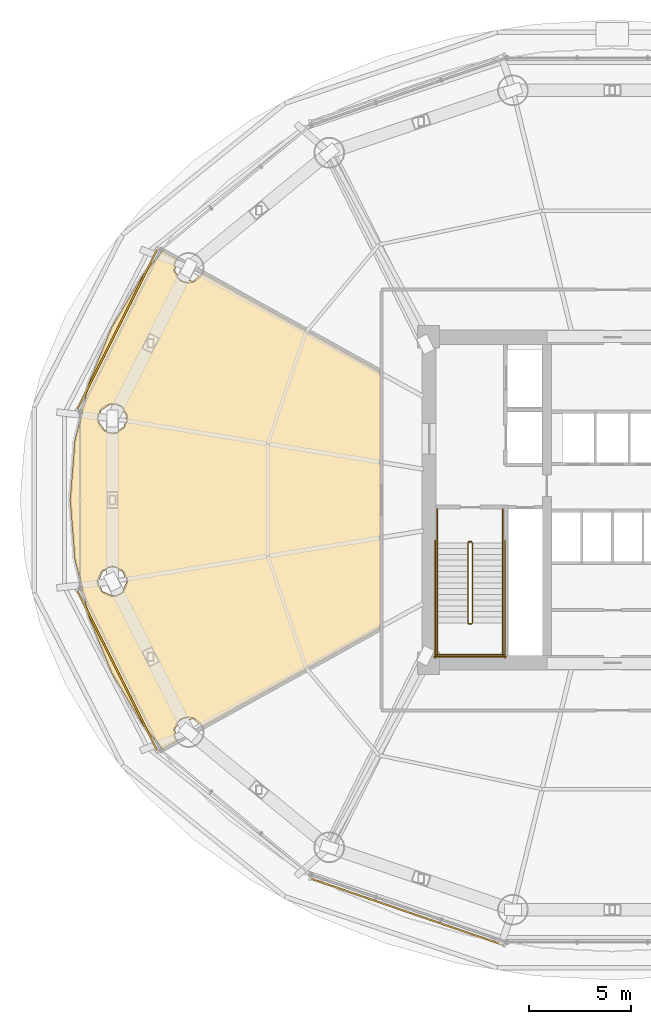
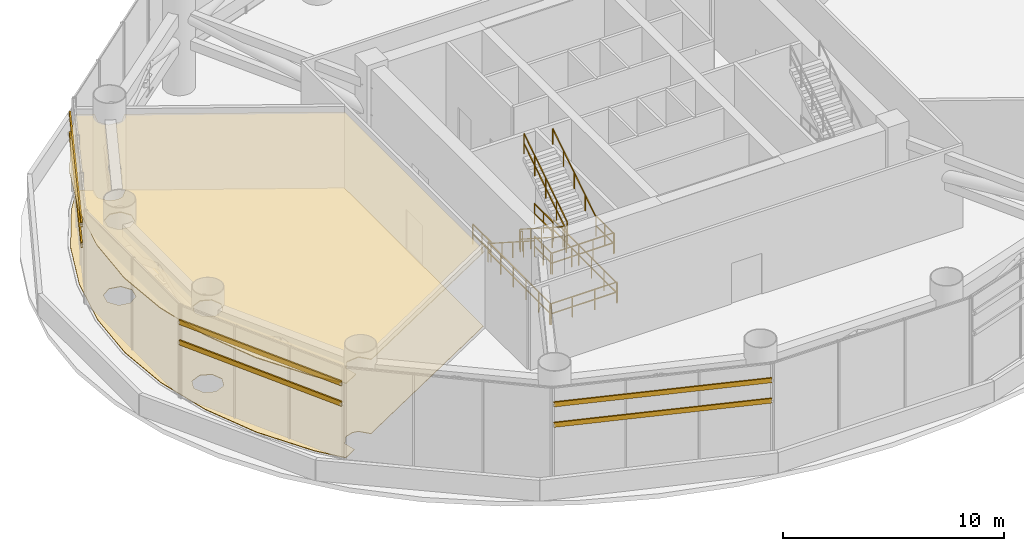
# One storey, part 31 of 33: 14 railings, 6 shading devices, 2 coverings.
"""IFC4 building model written with IfcOpenShell, lengths in metres."""

import ifcopenshell
import ifcopenshell.guid

model = None  # the IFC model being written
_history = None  # IfcOwnerHistory: only IFC2X3 demands one
_inside = {}  # id of a spatial element -> (the spatial element, [elements in it])
_under = {}  # id of a project, library or spatial element -> (it, [spatial elements below it])
_declared = {}  # id of a project -> (the project, [libraries it declares])
_typed = {}  # id of a type object -> (the type object, [elements of that type])
_made_of = {}  # id of a material, layer set ... -> (it, [elements and type objects made of it])


def new_model(schema):
    """Start an empty IFC model of exactly this schema.

    Asked for "IFC4X3", IfcOpenShell would pick the latest addendum, in which some entities
    have other attributes; the version numbers below select the first issue.
    IFC2X3 requires an IfcOwnerHistory on every rooted entity: one is made here for all.
    """
    global model, _history
    if schema == "IFC4X3":
        model = ifcopenshell.file(schema_version=(4, 3, 0, 0))
    else:
        model = ifcopenshell.file(schema=schema)
    _inside.clear()
    _under.clear()
    _declared.clear()
    _typed.clear()
    _made_of.clear()
    _history = None
    if model.schema == "IFC2X3":
        org = make("IfcOrganization", Name="unknown")
        user = make(
            "IfcPersonAndOrganization",
            ThePerson=make("IfcPerson", FamilyName="unknown"),
            TheOrganization=org,
        )
        app = make(
            "IfcApplication",
            ApplicationDeveloper=org,
            Version="unknown",
            ApplicationFullName="unknown",
            ApplicationIdentifier="unknown",
        )
        _history = make(
            "IfcOwnerHistory",
            OwningUser=user,
            OwningApplication=app,
            ChangeAction="ADDED",
            CreationDate=0,
        )
    return model


def make(cls, **values):
    """One entity of the class cls with the attributes given. An attribute that is None is left unset."""
    return model.create_entity(
        cls, **{name: value for name, value in values.items() if value is not None}
    )


def rooted(cls, **values):
    """An entity with a GlobalId (a new one), such as an element, a storey or a relation."""
    return make(cls, GlobalId=ifcopenshell.guid.new(), OwnerHistory=_history, **values)


def si_unit(unit_type, name, prefix=None):
    """IfcSIUnit, for example si_unit("LENGTHUNIT", "METRE", prefix="MILLI")."""
    return make("IfcSIUnit", UnitType=unit_type, Prefix=prefix, Name=name)


def assignment(units):
    """IfcUnitAssignment: the units of a project."""
    return None if units is None else make("IfcUnitAssignment", Units=units)


def point(xyz):
    """IfcCartesianPoint."""
    return None if xyz is None else make("IfcCartesianPoint", Coordinates=xyz)


def direction(xyz):
    """IfcDirection."""
    return None if xyz is None else make("IfcDirection", DirectionRatios=xyz)


def frame(location, z_axis=None, x_axis=None):
    """IfcAxis2Placement3D, a coordinate frame: its origin and axes. An axis left out is left unset."""
    return make(
        "IfcAxis2Placement3D",
        Location=point(location),
        Axis=direction(z_axis),
        RefDirection=direction(x_axis),
    )


def frame_2d(location, x_axis=None):
    """IfcAxis2Placement2D, a coordinate frame in the plane: its origin and x axis."""
    return make(
        "IfcAxis2Placement2D", Location=point(location), RefDirection=direction(x_axis)
    )


def origin():
    """The frame at (0, 0, 0) with its axes left unset."""
    return frame((0.0, 0.0, 0.0))


def origin_2d():
    """The frame at (0, 0) in the plane with its x axis left unset."""
    return frame_2d((0.0, 0.0))


def place(relative_to, where):
    """IfcLocalPlacement: puts the frame where relative to a parent placement (None: the world)."""
    return make(
        "IfcLocalPlacement", PlacementRelTo=relative_to, RelativePlacement=where
    )


def context(
    kind, dimensions, precision=None, world=None, true_north=None, identifier=None
):
    """IfcGeometricRepresentationContext, for example the 3D "Model" context."""
    return make(
        "IfcGeometricRepresentationContext",
        ContextIdentifier=identifier,
        ContextType=kind,
        CoordinateSpaceDimension=dimensions,
        Precision=precision,
        WorldCoordinateSystem=world,
        TrueNorth=true_north,
    )


def subcontext(parent, identifier, kind, view, scale=None):
    """IfcGeometricRepresentationSubContext, for example "Body" below "Model"."""
    return make(
        "IfcGeometricRepresentationSubContext",
        ContextIdentifier=identifier,
        ContextType=kind,
        ParentContext=parent,
        TargetScale=scale,
        TargetView=view,
    )


def project(units=None, contexts=None):
    """IfcProject with its units and contexts."""
    return rooted(
        "IfcProject",
        Name="project",
        RepresentationContexts=contexts,
        UnitsInContext=assignment(units),
    )


def spatial(cls, under=None, at=None, **own):
    """A site, building, storey or space (cls), placed at a placement, below another one or the project."""
    s = rooted(cls, ObjectPlacement=at, **own)
    if under is not None:
        _under.setdefault(under.id(), (under, []))[1].append(s)
    return s


def polyline(points):
    """IfcPolyline through the points."""
    return make("IfcPolyline", Points=[point(p) for p in points])


def profile(cls, at=None, kind="AREA", **sizes):
    """A parametric profile (cls). Its sizes go by their IFC names, for example OverallWidth=200.0."""
    return make(cls, ProfileType=kind, Position=at, **sizes)


def rectangle(**sizes):
    """IfcRectangleProfileDef."""
    return profile("IfcRectangleProfileDef", **sizes)


def hollow_rectangle(**sizes):
    """IfcRectangleHollowProfileDef."""
    return profile("IfcRectangleHollowProfileDef", **sizes)


def outline(outer, holes=None, kind="AREA"):
    """IfcArbitraryClosedProfileDef: a profile drawn as a closed curve; with holes, ...WithVoids."""
    if holes is None:
        return make("IfcArbitraryClosedProfileDef", ProfileType=kind, OuterCurve=outer)
    return make(
        "IfcArbitraryProfileDefWithVoids",
        ProfileType=kind,
        OuterCurve=outer,
        InnerCurves=holes,
    )


def extrude(swept, where, along, depth):
    """IfcExtrudedAreaSolid: the profile swept, set in the frame where, extruded along a direction by depth."""
    return make(
        "IfcExtrudedAreaSolid",
        SweptArea=swept,
        Position=where,
        ExtrudedDirection=direction(along),
        Depth=depth,
    )


def shape(context_of_items, identifier, shape_type, items):
    """IfcShapeRepresentation: the items that make up one representation, for example the "Body"."""
    return make(
        "IfcShapeRepresentation",
        ContextOfItems=context_of_items,
        RepresentationIdentifier=identifier,
        RepresentationType=shape_type,
        Items=items,
    )


def source(mapping_origin, context_of_items, identifier, shape_type, items):
    """IfcRepresentationMap: a shape defined once, which mapped items show again and again."""
    return make(
        "IfcRepresentationMap",
        MappingOrigin=mapping_origin,
        MappedRepresentation=shape(context_of_items, identifier, shape_type, items),
    )


def transform(
    local_origin,
    x_axis=None,
    y_axis=None,
    z_axis=None,
    scale=None,
    scale2=None,
    scale3=None,
    uniform=True,
):
    """IfcCartesianTransformationOperator3D, or its non-uniform kind. x_axis, y_axis, z_axis: its Axis1, 2, 3."""
    if uniform:
        return make(
            "IfcCartesianTransformationOperator3D",
            Axis1=direction(x_axis),
            Axis2=direction(y_axis),
            LocalOrigin=point(local_origin),
            Scale=scale,
            Axis3=direction(z_axis),
        )
    return make(
        "IfcCartesianTransformationOperator3DnonUniform",
        Axis1=direction(x_axis),
        Axis2=direction(y_axis),
        LocalOrigin=point(local_origin),
        Scale=scale,
        Axis3=direction(z_axis),
        Scale2=scale2,
        Scale3=scale3,
    )


def mapped(mapping_source, mapping_target):
    """IfcMappedItem: shows the shape of a source again, moved by a transform."""
    return make(
        "IfcMappedItem", MappingSource=mapping_source, MappingTarget=mapping_target
    )


def material(Name=None, Category=None):
    """IfcMaterial."""
    return make("IfcMaterial", Name=Name, Category=Category)


def layer(
    of_material, thickness, ventilated=None, Name=None, Category=None, Priority=None
):
    """IfcMaterialLayer: one layer of a wall or slab, of a material (None: an air gap)."""
    return make(
        "IfcMaterialLayer",
        Material=of_material,
        LayerThickness=thickness,
        IsVentilated=ventilated,
        Name=Name,
        Category=Category,
        Priority=Priority,
    )


def layer_set(layers, Name=None):
    """IfcMaterialLayerSet."""
    return make("IfcMaterialLayerSet", MaterialLayers=layers, LayerSetName=Name)


def material_profile(
    of_material, cross_section, Name=None, Category=None, Priority=None
):
    """IfcMaterialProfile: a cross section and its material."""
    return make(
        "IfcMaterialProfile",
        Name=Name,
        Material=of_material,
        Profile=cross_section,
        Priority=Priority,
        Category=Category,
    )


def profile_set(profiles, Name=None, composite=None):
    """IfcMaterialProfileSet."""
    return make(
        "IfcMaterialProfileSet",
        Name=Name,
        MaterialProfiles=profiles,
        CompositeProfile=composite,
    )


def made_of(thing, what):
    """Note that an element or type object is made of a material, layer set ...; save() writes the relation."""
    if what is not None:
        _made_of.setdefault(what.id(), (what, []))[1].append(thing)
    return thing


def type_object(cls, material=None, **own):
    """A type object (cls), such as IfcWallType, which elements share."""
    return made_of(rooted(cls, **own), material)


def element(
    cls,
    number,
    at=None,
    inside=None,
    cuts=None,
    type_object=None,
    material=None,
    context=None,
    identifier="Body",
    shape_type=None,
    held_by="IfcProductDefinitionShape",
    body=None,
    shapes=None,
    **own,
):
    """One element of the class cls, such as IfcWall. Its Tag is "e" and its number.

    at: its placement. inside: the storey or other place that contains it. cuts: it is an
    opening in that element (IfcRelVoidsElement). A single representation is given by context,
    identifier, shape_type and body (its items); several are given by shapes. held_by: the class
    of the entity that holds the representations. save() writes the other relations.
    """
    e = rooted(cls, Tag="e%d" % number, ObjectPlacement=at, **own)
    if body is not None:
        shapes = [shape(context, identifier, shape_type, body)]
    if shapes is not None:
        e.Representation = make(held_by, Representations=shapes)
    if inside is not None:
        _inside.setdefault(inside.id(), (inside, []))[1].append(e)
    if cuts is not None:
        rooted(
            "IfcRelVoidsElement", RelatingBuildingElement=cuts, RelatedOpeningElement=e
        )
    if type_object is not None:
        _typed.setdefault(type_object.id(), (type_object, []))[1].append(e)
    return made_of(e, material)


def aggregate(whole, parts):
    """IfcRelAggregates: a whole, such as a stair, and the parts it consists of."""
    return rooted("IfcRelAggregates", RelatingObject=whole, RelatedObjects=parts)


def save(model, path):
    """Write the relations noted so far, then the file.

    IfcRelAggregates (storeys below a building ...), IfcRelContainedInSpatialStructure (elements
    in a storey), IfcRelDefinesByType, IfcRelAssociatesMaterial and IfcRelDeclares: one each for
    every whole, place, type object, material and project.
    """
    for whole, parts in _under.values():
        aggregate(whole, parts)
    for where, things in _inside.values():
        rooted(
            "IfcRelContainedInSpatialStructure",
            RelatedElements=things,
            RelatingStructure=where,
        )
    for kind, things in _typed.values():
        rooted("IfcRelDefinesByType", RelatedObjects=things, RelatingType=kind)
    for what, things in _made_of.values():
        rooted("IfcRelAssociatesMaterial", RelatedObjects=things, RelatingMaterial=what)
    for by, libraries in _declared.values():
        rooted("IfcRelDeclares", RelatingContext=by, RelatedDefinitions=libraries)
    model.write(path)


model = new_model("IFC4")

# Units and contexts
model_context = context("Model", 3, precision=1e-05, world=origin(), true_north=direction((-0.2419218956, 0.970295726276)))
body_context = subcontext(model_context, "Body", "Model", "MODEL_VIEW")
ifc_project = project(units=[si_unit("LENGTHUNIT", "METRE"), si_unit("AREAUNIT", "SQUARE_METRE"), si_unit("VOLUMEUNIT", "CUBIC_METRE"), si_unit("PLANEANGLEUNIT", "RADIAN"), si_unit("MASSUNIT", "GRAM", prefix="KILO")], contexts=[model_context])

# Site, building, storey
site_placement = place(None, origin())
site = spatial("IfcSite", under=ifc_project, at=site_placement, CompositionType="ELEMENT")
building_placement = place(site_placement, origin())
building = spatial("IfcBuilding", under=site, at=building_placement, Name="Cobrevalo Terracotta Tower", CompositionType="ELEMENT")
storey_placement = place(building_placement, frame((0.0, 0.0, 74.39990234375)))
storey = spatial("IfcBuildingStorey", under=building, at=storey_placement, Name="L19", CompositionType="ELEMENT", Elevation=74.39990234375)

# Coverings
ifc_material_1 = material(Name="Honed terracotta and granite tile", Category="masonry")
ifc_layer_1 = layer(ifc_material_1, 0.034912109375)
ifc_layer_set_1 = layer_set([ifc_layer_1], Name="Honed terracotta and granite tile")
covering_type_1 = type_object("IfcCoveringType", Name="Honed Terracotta & Granite Interior Flooring 35", PredefinedType="FLOORING", material=ifc_layer_set_1)
covering_1_placement = place(storey_placement, origin())
element("IfcCovering", 1, at=covering_1_placement, inside=storey, type_object=covering_type_1, Name="L19 Pressurized Fire Refuge Area floor finish", PredefinedType="FLOORING", context=body_context, shape_type="SweptSolid", body=[
    extrude(outline(polyline([(13.5166015625, 18.38232421875), (12.40283203125, 21.10693359375), (11.726806640625, 23.928955078125), (11.5, 26.800048828125), (11.726806640625, 29.671142578125), (12.40283203125, 32.4931640625), (13.5166015625, 35.2177734375), (15.049560546875, 37.798583984375), (16.005859375, 38.987060546875), (16.6748046875, 38.61572265625), (16.529052734375, 38.01708984375), (16.84375, 37.546142578125), (17.2548828125, 37.42138671875), (17.5380859375, 37.4775390625), (17.945068359375, 37.910400390625), (26.594970703125, 33.1083984375), (26.594970703125, 20.491455078125), (17.945068359375, 15.689453125), (17.5380859375, 16.122314453125), (17.2548828125, 16.1787109375), (16.84375, 16.053955078125), (16.529052734375, 15.5830078125), (16.6748046875, 14.984375), (16.005859375, 14.613037109375), (15.049560546875, 15.801513671875), (13.5166015625, 18.38232421875)]), holes=[polyline([(14.052734375, 22.287109375), (14.26953125, 22.810302734375), (14.052734375, 23.333740234375), (13.529296875, 23.550537109375), (13.006103515625, 23.333740234375), (12.789306640625, 22.810302734375), (13.006103515625, 22.287109375), (13.529296875, 22.0703125), (14.052734375, 22.287109375)]), polyline([(14.144775390625, 30.37841796875), (14.25537109375, 30.93408203125), (13.940673828125, 31.405029296875), (13.385009765625, 31.515380859375), (12.9140625, 31.20068359375), (12.803466796875, 30.645263671875), (13.1181640625, 30.17431640625), (13.673828125, 30.063720703125), (14.144775390625, 30.37841796875)])]), origin(), (0.0, 0.0, 1.0), 0.030029296875),
])
ifc_material_2 = material(Name="Acoustic perforated gypsum ceiling", Category="gypsum")
ifc_layer_2 = layer(ifc_material_2, 0.050048828125)
ifc_layer_set_2 = layer_set([ifc_layer_2], Name="Acoustic perforated gypsum ceiling")
covering_type_2 = type_object("IfcCoveringType", Name="Perforated Acoustic Gypsum Ceiling 50", PredefinedType="CEILING", material=ifc_layer_set_2)
covering_2_placement = place(storey_placement, frame((0.0, 0.0, 4.135009765625)))
element("IfcCovering", 2, at=covering_2_placement, inside=storey, type_object=covering_type_2, Name="L19 Pressurized Fire Refuge Area acoustic ceiling", PredefinedType="CEILING", context=body_context, shape_type="SweptSolid", body=[
    extrude(outline(polyline([(13.476318359375, 18.362060546875), (12.35986328125, 21.093017578125), (11.68212890625, 23.921875), (11.454833984375, 26.800048828125), (11.68212890625, 29.67822265625), (12.35986328125, 32.5068359375), (13.476318359375, 35.23779296875), (15.012451171875, 37.82421875), (15.99462890625, 39.044677734375), (16.743896484375, 38.628662109375), (16.5732421875, 38.02587890625), (16.868896484375, 37.583740234375), (17.520751953125, 37.51953125), (17.924560546875, 37.97314453125), (26.639892578125, 33.135009765625), (26.639892578125, 20.465087890625), (17.924560546875, 15.626708984375), (17.520751953125, 16.08056640625), (16.868896484375, 16.016357421875), (16.5732421875, 15.57421875), (16.743896484375, 14.97119140625), (15.99462890625, 14.55517578125), (15.012451171875, 15.775634765625), (13.476318359375, 18.362060546875)]), holes=[polyline([(14.020751953125, 22.319091796875), (14.224365234375, 22.810302734375), (14.020751953125, 23.3017578125), (13.529296875, 23.50537109375), (13.0380859375, 23.3017578125), (12.83447265625, 22.810302734375), (13.0380859375, 22.319091796875), (13.529296875, 22.115478515625), (14.020751953125, 22.319091796875)]), polyline([(14.107177734375, 30.403564453125), (14.2109375, 30.925048828125), (13.91552734375, 31.367431640625), (13.393798828125, 31.47119140625), (12.95166015625, 31.175537109375), (12.847900390625, 30.654052734375), (13.143310546875, 30.2119140625), (13.6650390625, 30.108154296875), (14.107177734375, 30.403564453125)])]), origin(), (0.0, 0.0, 1.0), 0.050048828125),
])

# Railings
ifc_material_3 = material(Name="Brushed stainless steel", Category="steel")
railing_type_1 = type_object("IfcRailingType", Name="Stainless Steel Stair Handrail 900", PredefinedType="HANDRAIL", material=ifc_material_3)
railing_1_placement = place(storey_placement, frame((29.425048828125, 24.699951171875, 0.18017578125)))
element("IfcRailing", 3, at=railing_1_placement, inside=storey, type_object=railing_type_1, Name="L19 ST-1 stair handrail 1", PredefinedType="HANDRAIL", context=body_context, shape_type="SweptSolid", body=[
    extrude(rectangle(XDim=0.048095703125, YDim=0.048095703125, at=origin_2d()), frame((0.0, 0.0, 0.8759765625), z_axis=(0.0, -0.841171666519, 0.540768182723), x_axis=(1.0, 0.0, 0.0)), (0.0, 0.0, 1.0), 4.66015625),
    extrude(rectangle(XDim=0.0419921875, YDim=0.0419921875, at=origin_2d()), origin(), (0.0, 0.0, 1.0), 0.851806640625),
    extrude(rectangle(XDim=0.0419921875, YDim=0.0419921875, at=origin_2d()), frame((0.0, -0.97998046875, 0.6298828125)), (0.0, 0.0, 1.0), 0.851806640625),
    extrude(rectangle(XDim=0.0419921875, YDim=0.0419921875, at=origin_2d()), frame((0.0, -1.9599609375, 1.260009765625)), (0.0, 0.0, 1.0), 0.851806640625),
    extrude(rectangle(XDim=0.0419921875, YDim=0.0419921875, at=origin_2d()), frame((0.0, -2.93994140625, 1.89013671875)), (0.0, 0.0, 1.0), 0.851806640625),
    extrude(rectangle(XDim=0.0419921875, YDim=0.0419921875, at=origin_2d()), frame((0.0, -3.919921875, 2.52001953125)), (0.0, 0.0, 1.0), 0.851806640625),
])
railing_2_placement = place(storey_placement, frame((32.64501953125, 20.780029296875, 2.880126953125)))
element("IfcRailing", 4, at=railing_2_placement, inside=storey, type_object=railing_type_1, Name="L19 ST-1 stair handrail 2", PredefinedType="HANDRAIL", context=body_context, shape_type="SweptSolid", body=[
    extrude(rectangle(XDim=0.048095703125, YDim=0.048095703125, at=origin_2d()), frame((0.0, 0.0, 0.8759765625), z_axis=(0.0, 0.841171666519, 0.540768182723), x_axis=(-1.0, 0.0, 0.0)), (0.0, 0.0, 1.0), 4.66015625),
    extrude(rectangle(XDim=0.0419921875, YDim=0.0419921875, at=origin_2d()), origin(), (0.0, 0.0, 1.0), 0.851806640625),
    extrude(rectangle(XDim=0.0419921875, YDim=0.0419921875, at=origin_2d()), frame((0.0, 0.97998046875, 0.6298828125)), (0.0, 0.0, 1.0), 0.851806640625),
    extrude(rectangle(XDim=0.0419921875, YDim=0.0419921875, at=origin_2d()), frame((0.0, 1.9599609375, 1.260009765625)), (0.0, 0.0, 1.0), 0.851806640625),
    extrude(rectangle(XDim=0.0419921875, YDim=0.0419921875, at=origin_2d()), frame((0.0, 2.93994140625, 1.89013671875)), (0.0, 0.0, 1.0), 0.851806640625),
    extrude(rectangle(XDim=0.0419921875, YDim=0.0419921875, at=origin_2d()), frame((0.0, 3.919921875, 2.52001953125)), (0.0, 0.0, 1.0), 0.851806640625),
])
ifc_material_4 = material(Name="Painted galvanized steel", Category="steel")
railing_type_2 = type_object("IfcRailingType", Name="Stair Well Guard Balustrade 1150", PredefinedType="GUARDRAIL", material=ifc_material_4)
railing_3_placement = place(storey_placement, frame((30.925048828125, 24.699951171875, 0.18017578125)))
element("IfcRailing", 5, at=railing_3_placement, inside=storey, type_object=railing_type_2, Name="L19 ST-1 stair guard 1", PredefinedType="GUARDRAIL", context=body_context, shape_type="SweptSolid", body=[
    extrude(rectangle(XDim=0.048095703125, YDim=0.048095703125, at=origin_2d()), frame((0.0, 0.0, 1.1259765625), z_axis=(0.0, -0.841171666519, 0.540768182723), x_axis=(1.0, 0.0, 0.0)), (0.0, 0.0, 1.0), 4.66015625),
    extrude(rectangle(XDim=0.048095703125, YDim=0.048095703125, at=origin_2d()), frame((0.0, 0.0, 0.574951171875), z_axis=(0.0, -0.841171666519, 0.540768182723), x_axis=(1.0, 0.0, 0.0)), (0.0, 0.0, 1.0), 4.66015625),
    extrude(rectangle(XDim=0.0419921875, YDim=0.0419921875, at=origin_2d()), origin(), (0.0, 0.0, 1.0), 1.101806640625),
    extrude(rectangle(XDim=0.0419921875, YDim=0.0419921875, at=origin_2d()), frame((0.0, -0.97998046875, 0.6298828125)), (0.0, 0.0, 1.0), 1.101806640625),
    extrude(rectangle(XDim=0.0419921875, YDim=0.0419921875, at=origin_2d()), frame((0.0, -1.9599609375, 1.260009765625)), (0.0, 0.0, 1.0), 1.101806640625),
    extrude(rectangle(XDim=0.0419921875, YDim=0.0419921875, at=origin_2d()), frame((0.0, -2.93994140625, 1.89013671875)), (0.0, 0.0, 1.0), 1.101806640625),
    extrude(rectangle(XDim=0.0419921875, YDim=0.0419921875, at=origin_2d()), frame((0.0, -3.919921875, 2.52001953125)), (0.0, 0.0, 1.0), 1.101806640625),
])
railing_4_placement = place(storey_placement, frame((30.97509765625, 20.72998046875, 2.7001953125)))
element("IfcRailing", 6, at=railing_4_placement, inside=storey, type_object=railing_type_2, Name="L19 ST-1 stair guard 2", PredefinedType="GUARDRAIL", context=body_context, shape_type="SweptSolid", body=[
    extrude(rectangle(XDim=0.048095703125, YDim=0.048095703125, at=origin_2d()), frame((0.0, 0.0, 1.1259765625), z_axis=(1.0, 0.0, 0.0), x_axis=(0.0, 1.0, 0.0)), (0.0, 0.0, 1.0), 0.119873046875),
    extrude(rectangle(XDim=0.048095703125, YDim=0.048095703125, at=origin_2d()), frame((0.0, 0.0, 0.574951171875), z_axis=(1.0, 0.0, 0.0), x_axis=(0.0, 1.0, 0.0)), (0.0, 0.0, 1.0), 0.119873046875),
    extrude(rectangle(XDim=0.0419921875, YDim=0.0419921875, at=origin_2d()), origin(), (0.0, 0.0, 1.0), 1.101806640625),
    extrude(rectangle(XDim=0.0419921875, YDim=0.0419921875, at=origin_2d()), frame((0.119873046875, 0.0, 0.0)), (0.0, 0.0, 1.0), 1.101806640625),
])
for number, where, name in (
    (7, (29.425048828125, 20.780029296875, 2.7001953125), "L19 ST-1 stair guard 3"),
    (8, (32.64501953125, 20.780029296875, 2.7001953125), "L19 ST-1 stair guard 4"),
):
    element("IfcRailing", number, at=place(storey_placement, frame(where)), inside=storey, type_object=railing_type_2, Name=name, PredefinedType="GUARDRAIL", context=body_context, shape_type="SweptSolid", body=[
        extrude(rectangle(XDim=0.048095703125, YDim=0.048095703125, at=origin_2d()), frame((0.0, 0.0, 1.1259765625), z_axis=(0.0, -1.0, 0.0), x_axis=(1.0, 0.0, 0.0)), (0.0, 0.0, 1.0), 1.60498046875),
        extrude(rectangle(XDim=0.048095703125, YDim=0.048095703125, at=origin_2d()), frame((0.0, 0.0, 0.574951171875), z_axis=(0.0, -1.0, 0.0), x_axis=(1.0, 0.0, 0.0)), (0.0, 0.0, 1.0), 1.60498046875),
        extrude(rectangle(XDim=0.0419921875, YDim=0.0419921875, at=origin_2d()), origin(), (0.0, 0.0, 1.0), 1.101806640625),
        extrude(rectangle(XDim=0.0419921875, YDim=0.0419921875, at=origin_2d()), frame((0.0, -0.802490234375, 0.0)), (0.0, 0.0, 1.0), 1.101806640625),
        extrude(rectangle(XDim=0.0419921875, YDim=0.0419921875, at=origin_2d()), frame((0.0, -1.60498046875, 0.0)), (0.0, 0.0, 1.0), 1.101806640625),
    ])
railing_5_placement = place(storey_placement, frame((29.375, 19.22509765625, 2.7001953125)))
element("IfcRailing", 9, at=railing_5_placement, inside=storey, type_object=railing_type_2, Name="L19 ST-1 stair guard 5", PredefinedType="GUARDRAIL", context=body_context, shape_type="SweptSolid", body=[
    extrude(rectangle(XDim=0.048095703125, YDim=0.048095703125, at=origin_2d()), frame((0.0, 0.0, 1.1259765625), z_axis=(1.0, 0.0, 0.0), x_axis=(0.0, 1.0, 0.0)), (0.0, 0.0, 1.0), 3.320068359375),
    extrude(rectangle(XDim=0.048095703125, YDim=0.048095703125, at=origin_2d()), frame((0.0, 0.0, 0.574951171875), z_axis=(1.0, 0.0, 0.0), x_axis=(0.0, 1.0, 0.0)), (0.0, 0.0, 1.0), 3.320068359375),
    extrude(rectangle(XDim=0.0419921875, YDim=0.0419921875, at=origin_2d()), origin(), (0.0, 0.0, 1.0), 1.101806640625),
    extrude(rectangle(XDim=0.0419921875, YDim=0.0419921875, at=origin_2d()), frame((1.106689453125, 0.0, 0.0)), (0.0, 0.0, 1.0), 1.101806640625),
    extrude(rectangle(XDim=0.0419921875, YDim=0.0419921875, at=origin_2d()), frame((2.21337890625, 0.0, 0.0)), (0.0, 0.0, 1.0), 1.101806640625),
    extrude(rectangle(XDim=0.0419921875, YDim=0.0419921875, at=origin_2d()), frame((3.320068359375, 0.0, 0.0)), (0.0, 0.0, 1.0), 1.101806640625),
])
railing_6_placement = place(storey_placement, frame((31.14501953125, 20.780029296875, 2.880126953125)))
element("IfcRailing", 10, at=railing_6_placement, inside=storey, type_object=railing_type_2, Name="L19 ST-1 stair guard 6", PredefinedType="GUARDRAIL", context=body_context, shape_type="SweptSolid", body=[
    extrude(rectangle(XDim=0.048095703125, YDim=0.048095703125, at=origin_2d()), frame((0.0, 0.0, 1.1259765625), z_axis=(0.0, 0.841171666519, 0.540768182723), x_axis=(-1.0, 0.0, 0.0)), (0.0, 0.0, 1.0), 4.66015625),
    extrude(rectangle(XDim=0.048095703125, YDim=0.048095703125, at=origin_2d()), frame((0.0, 0.0, 0.574951171875), z_axis=(0.0, 0.841171666519, 0.540768182723), x_axis=(-1.0, 0.0, 0.0)), (0.0, 0.0, 1.0), 4.66015625),
    extrude(rectangle(XDim=0.0419921875, YDim=0.0419921875, at=origin_2d()), origin(), (0.0, 0.0, 1.0), 1.101806640625),
    extrude(rectangle(XDim=0.0419921875, YDim=0.0419921875, at=origin_2d()), frame((0.0, 0.97998046875, 0.6298828125)), (0.0, 0.0, 1.0), 1.101806640625),
    extrude(rectangle(XDim=0.0419921875, YDim=0.0419921875, at=origin_2d()), frame((0.0, 1.9599609375, 1.260009765625)), (0.0, 0.0, 1.0), 1.101806640625),
    extrude(rectangle(XDim=0.0419921875, YDim=0.0419921875, at=origin_2d()), frame((0.0, 2.93994140625, 1.89013671875)), (0.0, 0.0, 1.0), 1.101806640625),
    extrude(rectangle(XDim=0.0419921875, YDim=0.0419921875, at=origin_2d()), frame((0.0, 3.919921875, 2.52001953125)), (0.0, 0.0, 1.0), 1.101806640625),
])
railing_7_placement = place(storey_placement, frame((30.97509765625, 24.75, 0.0)))
element("IfcRailing", 11, at=railing_7_placement, inside=storey, type_object=railing_type_2, Name="L19 ST-1 stair guard 7", PredefinedType="GUARDRAIL", context=body_context, shape_type="SweptSolid", body=[
    extrude(rectangle(XDim=0.048095703125, YDim=0.048095703125, at=origin_2d()), frame((0.0, 0.0, 1.1259765625), z_axis=(1.0, 0.0, 0.0), x_axis=(0.0, 1.0, 0.0)), (0.0, 0.0, 1.0), 0.119873046875),
    extrude(rectangle(XDim=0.048095703125, YDim=0.048095703125, at=origin_2d()), frame((0.0, 0.0, 0.574951171875), z_axis=(1.0, 0.0, 0.0), x_axis=(0.0, 1.0, 0.0)), (0.0, 0.0, 1.0), 0.119873046875),
    extrude(rectangle(XDim=0.0419921875, YDim=0.0419921875, at=origin_2d()), origin(), (0.0, 0.0, 1.0), 1.101806640625),
    extrude(rectangle(XDim=0.0419921875, YDim=0.0419921875, at=origin_2d()), frame((0.119873046875, 0.0, 0.0)), (0.0, 0.0, 1.0), 1.101806640625),
])
for number, where, name in (
    (12, (29.425048828125, 26.35009765625, 0.0), "L19 ST-1 stair guard 8"),
    (13, (32.64501953125, 26.35009765625, 0.0), "L19 ST-1 stair guard 9"),
):
    element("IfcRailing", number, at=place(storey_placement, frame(where)), inside=storey, type_object=railing_type_2, Name=name, PredefinedType="GUARDRAIL", context=body_context, shape_type="SweptSolid", body=[
        extrude(rectangle(XDim=0.048095703125, YDim=0.048095703125, at=origin_2d()), frame((0.0, 0.0, 1.1259765625), z_axis=(0.0, -1.0, 0.0), x_axis=(1.0, 0.0, 0.0)), (0.0, 0.0, 1.0), 1.650146484375),
        extrude(rectangle(XDim=0.048095703125, YDim=0.048095703125, at=origin_2d()), frame((0.0, 0.0, 0.574951171875), z_axis=(0.0, -1.0, 0.0), x_axis=(1.0, 0.0, 0.0)), (0.0, 0.0, 1.0), 1.650146484375),
        extrude(rectangle(XDim=0.0419921875, YDim=0.0419921875, at=origin_2d()), origin(), (0.0, 0.0, 1.0), 1.101806640625),
        extrude(rectangle(XDim=0.0419921875, YDim=0.0419921875, at=origin_2d()), frame((0.0, -0.8251953125, 0.0)), (0.0, 0.0, 1.0), 1.101806640625),
        extrude(rectangle(XDim=0.0419921875, YDim=0.0419921875, at=origin_2d()), frame((0.0, -1.650146484375, 0.0)), (0.0, 0.0, 1.0), 1.101806640625),
    ])
for number, where, name in (
    (14, (29.324951171875, 24.800048828125, 0.0), "L19 ST-1 stair guard 10"),
    (15, (32.7451171875, 24.800048828125, 0.0), "L19 ST-1 stair guard 11"),
):
    element("IfcRailing", number, at=place(storey_placement, frame(where)), inside=storey, type_object=railing_type_2, Name=name, PredefinedType="GUARDRAIL", context=body_context, shape_type="SweptSolid", body=[
        extrude(rectangle(XDim=0.048095703125, YDim=0.048095703125, at=origin_2d()), frame((0.0, 0.0, 1.1259765625), z_axis=(0.0, -1.0, 0.0), x_axis=(1.0, 0.0, 0.0)), (0.0, 0.0, 1.0), 5.72509765625),
        extrude(rectangle(XDim=0.048095703125, YDim=0.048095703125, at=origin_2d()), frame((0.0, 0.0, 0.574951171875), z_axis=(0.0, -1.0, 0.0), x_axis=(1.0, 0.0, 0.0)), (0.0, 0.0, 1.0), 5.72509765625),
        extrude(rectangle(XDim=0.0419921875, YDim=0.0419921875, at=origin_2d()), origin(), (0.0, 0.0, 1.0), 1.101806640625),
        extrude(rectangle(XDim=0.0419921875, YDim=0.0419921875, at=origin_2d()), frame((0.0, -1.14501953125, 0.0)), (0.0, 0.0, 1.0), 1.101806640625),
        extrude(rectangle(XDim=0.0419921875, YDim=0.0419921875, at=origin_2d()), frame((0.0, -2.2900390625, 0.0)), (0.0, 0.0, 1.0), 1.101806640625),
        extrude(rectangle(XDim=0.0419921875, YDim=0.0419921875, at=origin_2d()), frame((0.0, -3.43505859375, 0.0)), (0.0, 0.0, 1.0), 1.101806640625),
        extrude(rectangle(XDim=0.0419921875, YDim=0.0419921875, at=origin_2d()), frame((0.0, -4.580078125, 0.0)), (0.0, 0.0, 1.0), 1.101806640625),
        extrude(rectangle(XDim=0.0419921875, YDim=0.0419921875, at=origin_2d()), frame((0.0, -5.72509765625, 0.0)), (0.0, 0.0, 1.0), 1.101806640625),
    ])
railing_8_placement = place(storey_placement, frame((29.27490234375, 19.125, 0.0)))
element("IfcRailing", 16, at=railing_8_placement, inside=storey, type_object=railing_type_2, Name="L19 ST-1 stair guard 12", PredefinedType="GUARDRAIL", context=body_context, shape_type="SweptSolid", body=[
    extrude(rectangle(XDim=0.048095703125, YDim=0.048095703125, at=origin_2d()), frame((0.0, 0.0, 1.1259765625), z_axis=(1.0, 0.0, 0.0), x_axis=(0.0, 1.0, 0.0)), (0.0, 0.0, 1.0), 3.52001953125),
    extrude(rectangle(XDim=0.048095703125, YDim=0.048095703125, at=origin_2d()), frame((0.0, 0.0, 0.574951171875), z_axis=(1.0, 0.0, 0.0), x_axis=(0.0, 1.0, 0.0)), (0.0, 0.0, 1.0), 3.52001953125),
    extrude(rectangle(XDim=0.0419921875, YDim=0.0419921875, at=origin_2d()), origin(), (0.0, 0.0, 1.0), 1.101806640625),
    extrude(rectangle(XDim=0.0419921875, YDim=0.0419921875, at=origin_2d()), frame((1.17333984375, 0.0, 0.0)), (0.0, 0.0, 1.0), 1.101806640625),
    extrude(rectangle(XDim=0.0419921875, YDim=0.0419921875, at=origin_2d()), frame((2.3466796875, 0.0, 0.0)), (0.0, 0.0, 1.0), 1.101806640625),
    extrude(rectangle(XDim=0.0419921875, YDim=0.0419921875, at=origin_2d()), frame((3.52001953125, 0.0, 0.0)), (0.0, 0.0, 1.0), 1.101806640625),
])

# Shading devices
ifc_material_5 = material(Name="Anodized aluminium and terracotta", Category="masonry")
ifc_material_profile = material_profile(ifc_material_5, hollow_rectangle(XDim=0.074951171875, YDim=0.260009765625, WallThickness=0.006103515625, at=origin_2d()), Name="LOUVRE BLADE 75x260")
ifc_profile_set = profile_set([ifc_material_profile], Name="Anodized aluminium and terracotta")
shading_device_type = type_object("IfcShadingDeviceType", Name="Plant Acoustic Weather Louvre Blade 75x260", PredefinedType="USERDEFINED", material=ifc_profile_set)
shared_shape_1 = source(origin(), body_context, "Body", "SweptSolid", [
    extrude(hollow_rectangle(XDim=0.074951171875, YDim=0.260009765625, WallThickness=0.006103515625, at=origin_2d()), origin(), (0.0, 0.0, 1.0), 8.810302734375),
])
for number, where, z_axis, x_axis, name in (
    (17, (15.72900390625, 39.10595703125, 3.177490234375), (-0.446260078548, -0.894903314495, 0.0), (0.894903314495, -0.446260078548, 0.0), "CW-LV-L19-S07 horizontal terracotta louvre 1"),
    (18, (15.72900390625, 39.10595703125, 4.30517578125), (-0.446260078548, -0.894903314495, 0.0), (0.894903314495, -0.446260078548, 0.0), "CW-LV-L19-S07 horizontal terracotta louvre 2"),
):
    element("IfcShadingDevice", number, at=place(storey_placement, frame(where, z_axis=z_axis, x_axis=x_axis)), inside=storey, type_object=shading_device_type, Name=name, ObjectType="LOUVRE", PredefinedType="USERDEFINED", context=body_context, shape_type="MappedRepresentation", body=[
        mapped(shared_shape_1, transform((0.0, 0.0, 0.0), scale=1.0)),
    ])
shared_shape_2 = source(origin(), body_context, "Body", "SweptSolid", [
    extrude(hollow_rectangle(XDim=0.074951171875, YDim=0.260009765625, WallThickness=0.006103515625, at=origin_2d()), origin(), (0.0, 0.0, 1.0), 8.81005859375),
])
for number, where, z_axis, x_axis, name in (
    (19, (11.79736328125, 22.378173828125, 3.177490234375), (0.446271145496, -0.894897795672, 0.0), (0.894897795672, 0.446271145496, 0.0), "CW-LV-L19-S09 horizontal terracotta louvre 1"),
    (20, (11.79736328125, 22.378173828125, 4.30517578125), (0.446271145496, -0.894897795672, 0.0), (0.894897795672, 0.446271145496, 0.0), "CW-LV-L19-S09 horizontal terracotta louvre 2"),
):
    element("IfcShadingDevice", number, at=place(storey_placement, frame(where, z_axis=z_axis, x_axis=x_axis)), inside=storey, type_object=shading_device_type, Name=name, ObjectType="LOUVRE", PredefinedType="USERDEFINED", context=body_context, shape_type="MappedRepresentation", body=[
        mapped(shared_shape_2, transform((0.0, 0.0, 0.0), scale=1.0)),
    ])
shared_shape_3 = source(origin(), body_context, "Body", "SweptSolid", [
    extrude(hollow_rectangle(XDim=0.074951171875, YDim=0.260009765625, WallThickness=0.006103515625, at=origin_2d()), origin(), (0.0, 0.0, 1.0), 10.049072265625),
])
for number, where, z_axis, x_axis, name in (
    (21, (23.2177734375, 8.266357421875, 3.177490234375), (0.945590162351, -0.325360177133, 0.0), (0.325360177133, 0.945590162351, 0.0), "CW-LV-L19-S11 horizontal terracotta louvre 1"),
    (22, (23.2177734375, 8.266357421875, 4.30517578125), (0.945590162351, -0.325360177133, 0.0), (0.325360177133, 0.945590162351, 0.0), "CW-LV-L19-S11 horizontal terracotta louvre 2"),
):
    element("IfcShadingDevice", number, at=place(storey_placement, frame(where, z_axis=z_axis, x_axis=x_axis)), inside=storey, type_object=shading_device_type, Name=name, ObjectType="LOUVRE", PredefinedType="USERDEFINED", context=body_context, shape_type="MappedRepresentation", body=[
        mapped(shared_shape_3, transform((0.0, 0.0, 0.0), scale=1.0)),
    ])

save(model, "model.ifc")
